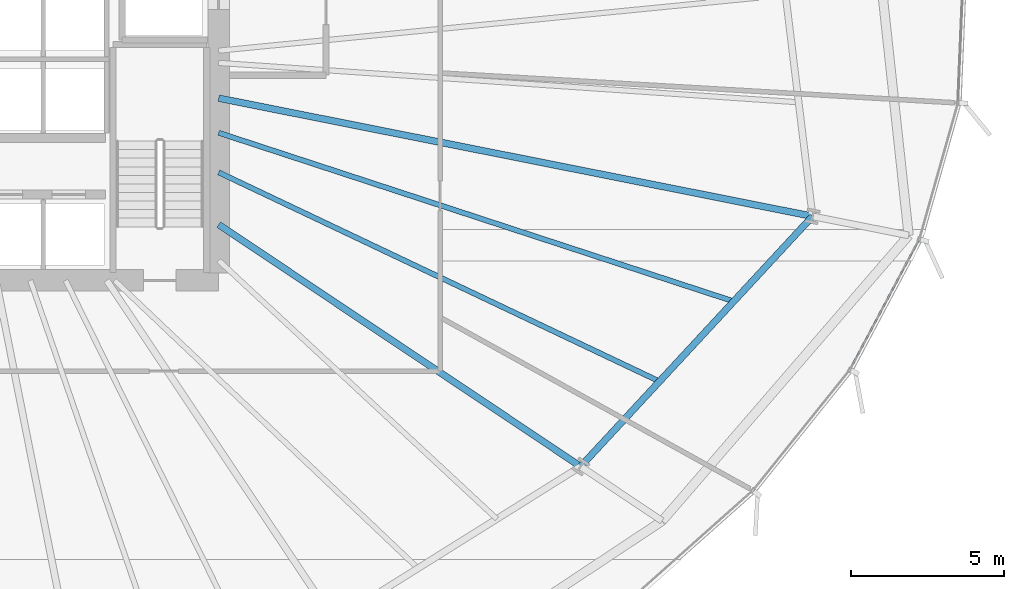
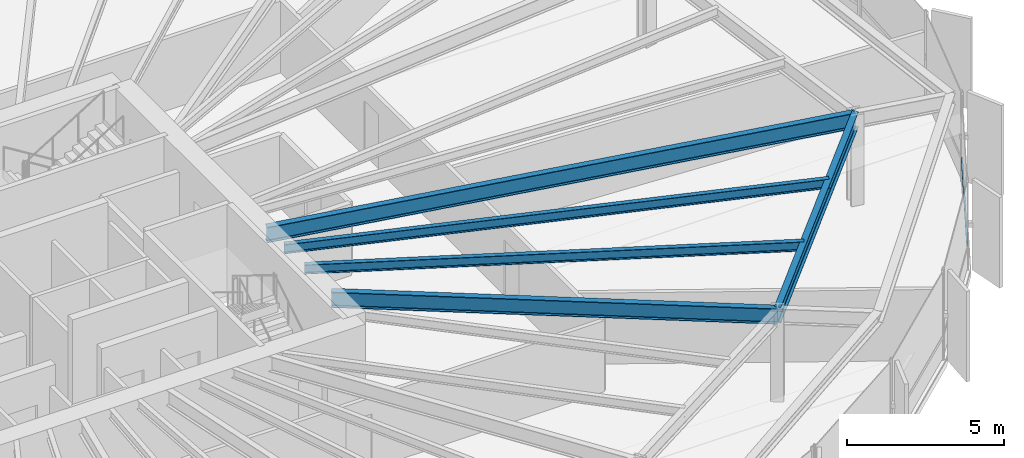
# One storey, part 15 of 37: 5 beams, 1 member, 1 element without a shape of its own.
"""IFC4 building model written with IfcOpenShell, lengths in metres."""

import ifcopenshell
import ifcopenshell.guid

model = None  # the IFC model being written
_history = None  # IfcOwnerHistory: only IFC2X3 demands one
_inside = {}  # id of a spatial element -> (the spatial element, [elements in it])
_under = {}  # id of a project, library or spatial element -> (it, [spatial elements below it])
_declared = {}  # id of a project -> (the project, [libraries it declares])
_typed = {}  # id of a type object -> (the type object, [elements of that type])
_made_of = {}  # id of a material, layer set ... -> (it, [elements and type objects made of it])


def new_model(schema):
    """Start an empty IFC model of exactly this schema.

    Asked for "IFC4X3", IfcOpenShell would pick the latest addendum, in which some entities
    have other attributes; the version numbers below select the first issue.
    IFC2X3 requires an IfcOwnerHistory on every rooted entity: one is made here for all.
    """
    global model, _history
    if schema == "IFC4X3":
        model = ifcopenshell.file(schema_version=(4, 3, 0, 0))
    else:
        model = ifcopenshell.file(schema=schema)
    _inside.clear()
    _under.clear()
    _declared.clear()
    _typed.clear()
    _made_of.clear()
    _history = None
    if model.schema == "IFC2X3":
        org = make("IfcOrganization", Name="unknown")
        user = make(
            "IfcPersonAndOrganization",
            ThePerson=make("IfcPerson", FamilyName="unknown"),
            TheOrganization=org,
        )
        app = make(
            "IfcApplication",
            ApplicationDeveloper=org,
            Version="unknown",
            ApplicationFullName="unknown",
            ApplicationIdentifier="unknown",
        )
        _history = make(
            "IfcOwnerHistory",
            OwningUser=user,
            OwningApplication=app,
            ChangeAction="ADDED",
            CreationDate=0,
        )
    return model


def make(cls, **values):
    """One entity of the class cls with the attributes given. An attribute that is None is left unset."""
    return model.create_entity(
        cls, **{name: value for name, value in values.items() if value is not None}
    )


def rooted(cls, **values):
    """An entity with a GlobalId (a new one), such as an element, a storey or a relation."""
    return make(cls, GlobalId=ifcopenshell.guid.new(), OwnerHistory=_history, **values)


def si_unit(unit_type, name, prefix=None):
    """IfcSIUnit, for example si_unit("LENGTHUNIT", "METRE", prefix="MILLI")."""
    return make("IfcSIUnit", UnitType=unit_type, Prefix=prefix, Name=name)


def assignment(units):
    """IfcUnitAssignment: the units of a project."""
    return None if units is None else make("IfcUnitAssignment", Units=units)


def point(xyz):
    """IfcCartesianPoint."""
    return None if xyz is None else make("IfcCartesianPoint", Coordinates=xyz)


def direction(xyz):
    """IfcDirection."""
    return None if xyz is None else make("IfcDirection", DirectionRatios=xyz)


def frame(location, z_axis=None, x_axis=None):
    """IfcAxis2Placement3D, a coordinate frame: its origin and axes. An axis left out is left unset."""
    return make(
        "IfcAxis2Placement3D",
        Location=point(location),
        Axis=direction(z_axis),
        RefDirection=direction(x_axis),
    )


def frame_2d(location, x_axis=None):
    """IfcAxis2Placement2D, a coordinate frame in the plane: its origin and x axis."""
    return make(
        "IfcAxis2Placement2D", Location=point(location), RefDirection=direction(x_axis)
    )


def origin():
    """The frame at (0, 0, 0) with its axes left unset."""
    return frame((0.0, 0.0, 0.0))


def origin_2d():
    """The frame at (0, 0) in the plane with its x axis left unset."""
    return frame_2d((0.0, 0.0))


def place(relative_to, where):
    """IfcLocalPlacement: puts the frame where relative to a parent placement (None: the world)."""
    return make(
        "IfcLocalPlacement", PlacementRelTo=relative_to, RelativePlacement=where
    )


def context(
    kind, dimensions, precision=None, world=None, true_north=None, identifier=None
):
    """IfcGeometricRepresentationContext, for example the 3D "Model" context."""
    return make(
        "IfcGeometricRepresentationContext",
        ContextIdentifier=identifier,
        ContextType=kind,
        CoordinateSpaceDimension=dimensions,
        Precision=precision,
        WorldCoordinateSystem=world,
        TrueNorth=true_north,
    )


def subcontext(parent, identifier, kind, view, scale=None):
    """IfcGeometricRepresentationSubContext, for example "Body" below "Model"."""
    return make(
        "IfcGeometricRepresentationSubContext",
        ContextIdentifier=identifier,
        ContextType=kind,
        ParentContext=parent,
        TargetScale=scale,
        TargetView=view,
    )


def project(units=None, contexts=None):
    """IfcProject with its units and contexts."""
    return rooted(
        "IfcProject",
        Name="project",
        RepresentationContexts=contexts,
        UnitsInContext=assignment(units),
    )


def spatial(cls, under=None, at=None, **own):
    """A site, building, storey or space (cls), placed at a placement, below another one or the project."""
    s = rooted(cls, ObjectPlacement=at, **own)
    if under is not None:
        _under.setdefault(under.id(), (under, []))[1].append(s)
    return s


def profile(cls, at=None, kind="AREA", **sizes):
    """A parametric profile (cls). Its sizes go by their IFC names, for example OverallWidth=200.0."""
    return make(cls, ProfileType=kind, Position=at, **sizes)


def hollow_rectangle(**sizes):
    """IfcRectangleHollowProfileDef."""
    return profile("IfcRectangleHollowProfileDef", **sizes)


def i_section(**sizes):
    """IfcIShapeProfileDef."""
    return profile("IfcIShapeProfileDef", **sizes)


def extrude(swept, where, along, depth):
    """IfcExtrudedAreaSolid: the profile swept, set in the frame where, extruded along a direction by depth."""
    return make(
        "IfcExtrudedAreaSolid",
        SweptArea=swept,
        Position=where,
        ExtrudedDirection=direction(along),
        Depth=depth,
    )


def shape(context_of_items, identifier, shape_type, items):
    """IfcShapeRepresentation: the items that make up one representation, for example the "Body"."""
    return make(
        "IfcShapeRepresentation",
        ContextOfItems=context_of_items,
        RepresentationIdentifier=identifier,
        RepresentationType=shape_type,
        Items=items,
    )


def source(mapping_origin, context_of_items, identifier, shape_type, items):
    """IfcRepresentationMap: a shape defined once, which mapped items show again and again."""
    return make(
        "IfcRepresentationMap",
        MappingOrigin=mapping_origin,
        MappedRepresentation=shape(context_of_items, identifier, shape_type, items),
    )


def transform(
    local_origin,
    x_axis=None,
    y_axis=None,
    z_axis=None,
    scale=None,
    scale2=None,
    scale3=None,
    uniform=True,
):
    """IfcCartesianTransformationOperator3D, or its non-uniform kind. x_axis, y_axis, z_axis: its Axis1, 2, 3."""
    if uniform:
        return make(
            "IfcCartesianTransformationOperator3D",
            Axis1=direction(x_axis),
            Axis2=direction(y_axis),
            LocalOrigin=point(local_origin),
            Scale=scale,
            Axis3=direction(z_axis),
        )
    return make(
        "IfcCartesianTransformationOperator3DnonUniform",
        Axis1=direction(x_axis),
        Axis2=direction(y_axis),
        LocalOrigin=point(local_origin),
        Scale=scale,
        Axis3=direction(z_axis),
        Scale2=scale2,
        Scale3=scale3,
    )


def mapped(mapping_source, mapping_target):
    """IfcMappedItem: shows the shape of a source again, moved by a transform."""
    return make(
        "IfcMappedItem", MappingSource=mapping_source, MappingTarget=mapping_target
    )


def material(Name=None, Category=None):
    """IfcMaterial."""
    return make("IfcMaterial", Name=Name, Category=Category)


def layer(
    of_material, thickness, ventilated=None, Name=None, Category=None, Priority=None
):
    """IfcMaterialLayer: one layer of a wall or slab, of a material (None: an air gap)."""
    return make(
        "IfcMaterialLayer",
        Material=of_material,
        LayerThickness=thickness,
        IsVentilated=ventilated,
        Name=Name,
        Category=Category,
        Priority=Priority,
    )


def layer_set(layers, Name=None):
    """IfcMaterialLayerSet."""
    return make("IfcMaterialLayerSet", MaterialLayers=layers, LayerSetName=Name)


def material_profile(
    of_material, cross_section, Name=None, Category=None, Priority=None
):
    """IfcMaterialProfile: a cross section and its material."""
    return make(
        "IfcMaterialProfile",
        Name=Name,
        Material=of_material,
        Profile=cross_section,
        Priority=Priority,
        Category=Category,
    )


def profile_set(profiles, Name=None, composite=None):
    """IfcMaterialProfileSet."""
    return make(
        "IfcMaterialProfileSet",
        Name=Name,
        MaterialProfiles=profiles,
        CompositeProfile=composite,
    )


def made_of(thing, what):
    """Note that an element or type object is made of a material, layer set ...; save() writes the relation."""
    if what is not None:
        _made_of.setdefault(what.id(), (what, []))[1].append(thing)
    return thing


def type_object(cls, material=None, **own):
    """A type object (cls), such as IfcWallType, which elements share."""
    return made_of(rooted(cls, **own), material)


def element(
    cls,
    number,
    at=None,
    inside=None,
    cuts=None,
    type_object=None,
    material=None,
    context=None,
    identifier="Body",
    shape_type=None,
    held_by="IfcProductDefinitionShape",
    body=None,
    shapes=None,
    **own,
):
    """One element of the class cls, such as IfcWall. Its Tag is "e" and its number.

    at: its placement. inside: the storey or other place that contains it. cuts: it is an
    opening in that element (IfcRelVoidsElement). A single representation is given by context,
    identifier, shape_type and body (its items); several are given by shapes. held_by: the class
    of the entity that holds the representations. save() writes the other relations.
    """
    e = rooted(cls, Tag="e%d" % number, ObjectPlacement=at, **own)
    if body is not None:
        shapes = [shape(context, identifier, shape_type, body)]
    if shapes is not None:
        e.Representation = make(held_by, Representations=shapes)
    if inside is not None:
        _inside.setdefault(inside.id(), (inside, []))[1].append(e)
    if cuts is not None:
        rooted(
            "IfcRelVoidsElement", RelatingBuildingElement=cuts, RelatedOpeningElement=e
        )
    if type_object is not None:
        _typed.setdefault(type_object.id(), (type_object, []))[1].append(e)
    return made_of(e, material)


def aggregate(whole, parts):
    """IfcRelAggregates: a whole, such as a stair, and the parts it consists of."""
    return rooted("IfcRelAggregates", RelatingObject=whole, RelatedObjects=parts)


def save(model, path):
    """Write the relations noted so far, then the file.

    IfcRelAggregates (storeys below a building ...), IfcRelContainedInSpatialStructure (elements
    in a storey), IfcRelDefinesByType, IfcRelAssociatesMaterial and IfcRelDeclares: one each for
    every whole, place, type object, material and project.
    """
    for whole, parts in _under.values():
        aggregate(whole, parts)
    for where, things in _inside.values():
        rooted(
            "IfcRelContainedInSpatialStructure",
            RelatedElements=things,
            RelatingStructure=where,
        )
    for kind, things in _typed.values():
        rooted("IfcRelDefinesByType", RelatedObjects=things, RelatingType=kind)
    for what, things in _made_of.values():
        rooted("IfcRelAssociatesMaterial", RelatedObjects=things, RelatingMaterial=what)
    for by, libraries in _declared.values():
        rooted("IfcRelDeclares", RelatingContext=by, RelatedDefinitions=libraries)
    model.write(path)


model = new_model("IFC4")

# Units and contexts
model_context = context("Model", 3, precision=1e-05, world=origin(), true_north=direction((0.0, 1.0)))
body_context = subcontext(model_context, "Body", "Model", "MODEL_VIEW")
ifc_project = project(units=[si_unit("LENGTHUNIT", "METRE"), si_unit("AREAUNIT", "SQUARE_METRE"), si_unit("VOLUMEUNIT", "CUBIC_METRE"), si_unit("PLANEANGLEUNIT", "RADIAN"), si_unit("MASSUNIT", "GRAM", prefix="KILO"), si_unit("THERMODYNAMICTEMPERATUREUNIT", "KELVIN")], contexts=[model_context])

# Site, building, storey
site_placement = place(None, origin())
site = spatial("IfcSite", under=ifc_project, at=site_placement, CompositionType="ELEMENT")
building_placement = place(site_placement, origin())
building = spatial("IfcBuilding", under=site, at=building_placement, Name="Kethvar Cultural Tower", CompositionType="ELEMENT")
storey_placement = place(building_placement, frame((0.0, 0.0, 48.60009765625)))
storey = spatial("IfcBuildingStorey", under=building, at=storey_placement, Name="L11", CompositionType="ELEMENT", Elevation=48.60009765625)

# Beams
ifc_material_1 = material(Name="Steel S355J2", Category="steel")
ifc_material_profile_1 = material_profile(ifc_material_1, i_section(OverallWidth=0.219970703125, OverallDepth=0.60009765625, WebThickness=0.011962890625, FlangeThickness=0.01904296875, FilletRadius=0.02392578125, at=origin_2d()), Name="Steel S355J2 — IPE600")
ifc_profile_set_1 = profile_set([ifc_material_profile_1], Name="Steel S355J2 — IPE600")
beam_type_1 = type_object("IfcBeamType", Name="BM-IPE600", PredefinedType="BEAM", material=ifc_profile_set_1)
shared_shape_1 = source(origin(), body_context, "Body", "SweptSolid", [
    extrude(i_section(OverallWidth=0.219970703125, OverallDepth=0.60009765625, WebThickness=0.011962890625, FlangeThickness=0.01904296875, FilletRadius=0.02392578125, at=origin_2d()), origin(), (0.0, 0.0, 1.0), 14.2138671875),
])
beam_1_placement = place(storey_placement, frame((55.60009765625, 21.920166015625, 3.247802734375), z_axis=(0.831463197362, -0.555579833537, 0.0), x_axis=(0.555579833537, 0.831463197362, 0.0)))
element("IfcBeam", 1, at=beam_1_placement, inside=storey, type_object=beam_type_1, Name="L11 Primary Radial Beam RB-15", PredefinedType="BEAM", context=body_context, shape_type="MappedRepresentation", body=[
    mapped(shared_shape_1, transform((0.0, 0.0, 0.0), scale=1.0)),
])
shared_shape_2 = source(origin(), body_context, "Body", "SweptSolid", [
    extrude(i_section(OverallWidth=0.219970703125, OverallDepth=0.60009765625, WebThickness=0.011962890625, FlangeThickness=0.01904296875, FilletRadius=0.02392578125, at=origin_2d()), origin(), (0.0, 0.0, 1.0), 19.77099609375),
])
beam_2_placement = place(storey_placement, frame((55.60009765625, 26.049560546875, 3.247802734375), z_axis=(0.980784840197, -0.195092535068, 0.0), x_axis=(0.195092535068, 0.980784840197, 0.0)))
element("IfcBeam", 2, at=beam_2_placement, inside=storey, type_object=beam_type_1, Name="L11 Primary Radial Beam RB-16", PredefinedType="BEAM", context=body_context, shape_type="MappedRepresentation", body=[
    mapped(shared_shape_2, transform((0.0, 0.0, 0.0), scale=1.0)),
])
shared_shape_3 = source(origin(), body_context, "Body", "SweptSolid", [
    extrude(i_section(OverallWidth=0.219970703125, OverallDepth=0.60009765625, WebThickness=0.011962890625, FlangeThickness=0.01904296875, FilletRadius=0.02392578125, at=origin_2d()), origin(), (0.0, 0.0, 1.0), 11.13916015625),
])
beam_3_placement = place(storey_placement, frame((67.41845703125, 14.023193359375, 3.247802734375), z_axis=(0.679827924457, 0.73337166098, 0.0), x_axis=(-0.73337166098, 0.679827924457, 0.0)))
element("IfcBeam", 3, at=beam_3_placement, inside=storey, type_object=beam_type_1, Name="L11 Column Ring Tie Beam CR-15", PredefinedType="BEAM", context=body_context, shape_type="MappedRepresentation", body=[
    mapped(shared_shape_3, transform((0.0, 0.0, 0.0), scale=1.0)),
])
ifc_material_profile_2 = material_profile(ifc_material_1, i_section(OverallWidth=0.169921875, OverallDepth=0.360107421875, WebThickness=0.008056640625, FlangeThickness=0.0126953125, FilletRadius=0.01806640625, at=origin_2d()), Name="Steel S355J2 — IPE360")
ifc_profile_set_2 = profile_set([ifc_material_profile_2], Name="Steel S355J2 — IPE360")
beam_type_2 = type_object("IfcBeamType", Name="BM-J360", PredefinedType="JOIST", material=ifc_profile_set_2)
shared_shape_4 = source(origin(), body_context, "Body", "SweptSolid", [
    extrude(i_section(OverallWidth=0.169921875, OverallDepth=0.360107421875, WebThickness=0.008056640625, FlangeThickness=0.0126953125, FilletRadius=0.01806640625, at=origin_2d()), origin(), (0.0, 0.0, 1.0), 15.9296875),
])
beam_4_placement = place(storey_placement, frame((55.60009765625, 23.626708984375, 3.367919921875), z_axis=(0.903539576646, -0.428504648089, 0.0), x_axis=(0.428504648089, 0.903539576646, 0.0)))
element("IfcBeam", 4, at=beam_4_placement, inside=storey, type_object=beam_type_2, Name="L11 Composite Floor Joist J-15A", PredefinedType="JOIST", context=body_context, shape_type="MappedRepresentation", body=[
    mapped(shared_shape_4, transform((0.0, 0.0, 0.0), scale=1.0)),
])
shared_shape_5 = source(origin(), body_context, "Body", "SweptSolid", [
    extrude(i_section(OverallWidth=0.169921875, OverallDepth=0.360107421875, WebThickness=0.008056640625, FlangeThickness=0.0126953125, FilletRadius=0.01806640625, at=origin_2d()), origin(), (0.0, 0.0, 1.0), 17.6943359375),
])
beam_5_placement = place(storey_placement, frame((55.60009765625, 24.91943359375, 3.367919921875), z_axis=(0.950378958587, -0.311094575773, 0.0), x_axis=(0.311094575773, 0.950378958587, 0.0)))
element("IfcBeam", 5, at=beam_5_placement, inside=storey, type_object=beam_type_2, Name="L11 Composite Floor Joist J-15B", PredefinedType="JOIST", context=body_context, shape_type="MappedRepresentation", body=[
    mapped(shared_shape_5, transform((0.0, 0.0, 0.0), scale=1.0)),
])

# Curtain wall, member
ifc_material_2 = material(Name="Aluminium 6063-T6", Category="aluminium")
ifc_layer = layer(ifc_material_2, 0.179931640625, Name="Aluminium 6063-T6", Category="aluminium")
ifc_layer_set = layer_set([ifc_layer], Name="Aluminium 6063-T6 (180 mm)")
curtain_wall_type = type_object("IfcCurtainWallType", Name="CW-SYS-02-Z1", PredefinedType="NOTDEFINED", material=ifc_layer_set)
curtain_wall_placement = place(storey_placement, origin())
curtain_wall = element("IfcCurtainWall", 6, at=curtain_wall_placement, inside=storey, type_object=curtain_wall_type, Name="L11 Curtain Wall Run 06", PredefinedType="NOTDEFINED")
ifc_material_profile_3 = material_profile(ifc_material_2, hollow_rectangle(XDim=0.054931640625, YDim=0.1201171875, WallThickness=0.00390625, at=origin_2d()), Name="Aluminium 6063-T6 — RHS120x55x4")
ifc_profile_set_3 = profile_set([ifc_material_profile_3], Name="Aluminium 6063-T6 — RHS120x55x4")
member_type = type_object("IfcMemberType", Name="CW-SYS-02-Z1-TRN", PredefinedType="USERDEFINED", material=ifc_profile_set_3)
shared_shape_6 = source(origin(), body_context, "Body", "SweptSolid", [
    extrude(hollow_rectangle(XDim=0.054931640625, YDim=0.1201171875, WallThickness=0.00390625, at=origin_2d()), origin(), (0.0, 0.0, 1.0), 4.757568359375),
])
member_placement = place(storey_placement, frame((76.2333984375, 17.2275390625, 0.949951171875), z_axis=(0.469042659604, 0.883175511137, 0.0), x_axis=(-0.883175511137, 0.469042659604, 0.0)))
member = element("IfcMember", 7, at=member_placement, type_object=member_type, Name="CW-L11-R06 Transom 4", ObjectType="TRANSOM", PredefinedType="USERDEFINED", context=body_context, shape_type="MappedRepresentation", body=[
    mapped(shared_shape_6, transform((0.0, 0.0, 0.0), scale=1.0)),
])
aggregate(curtain_wall, [member])

save(model, "model.ifc")
